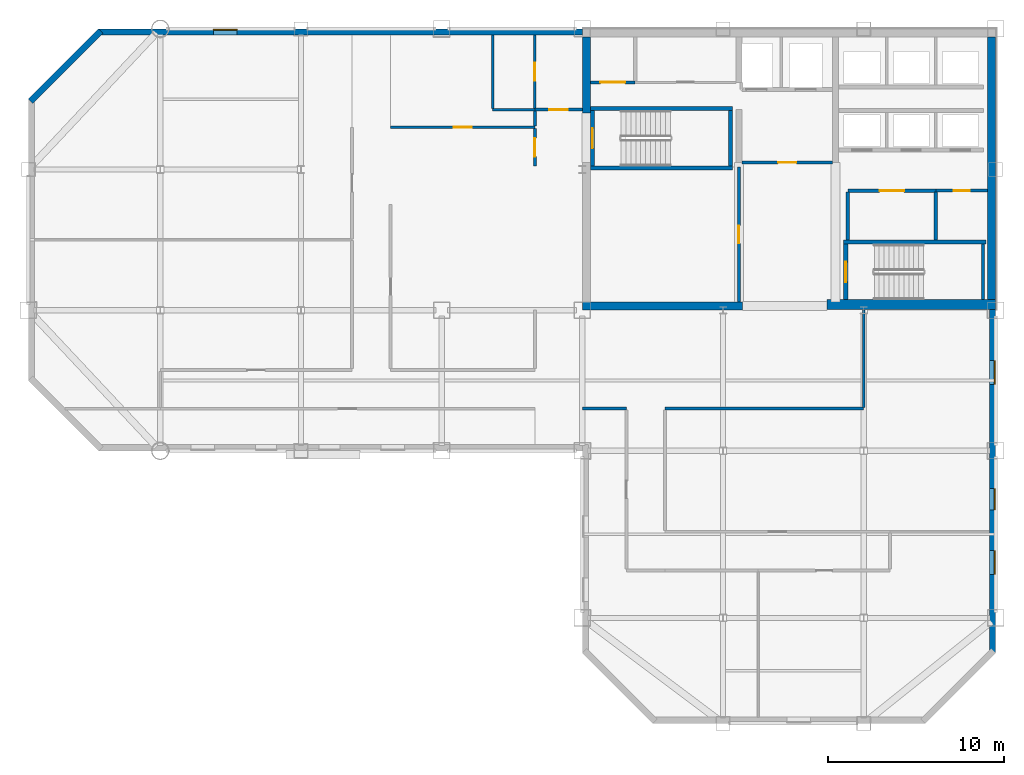
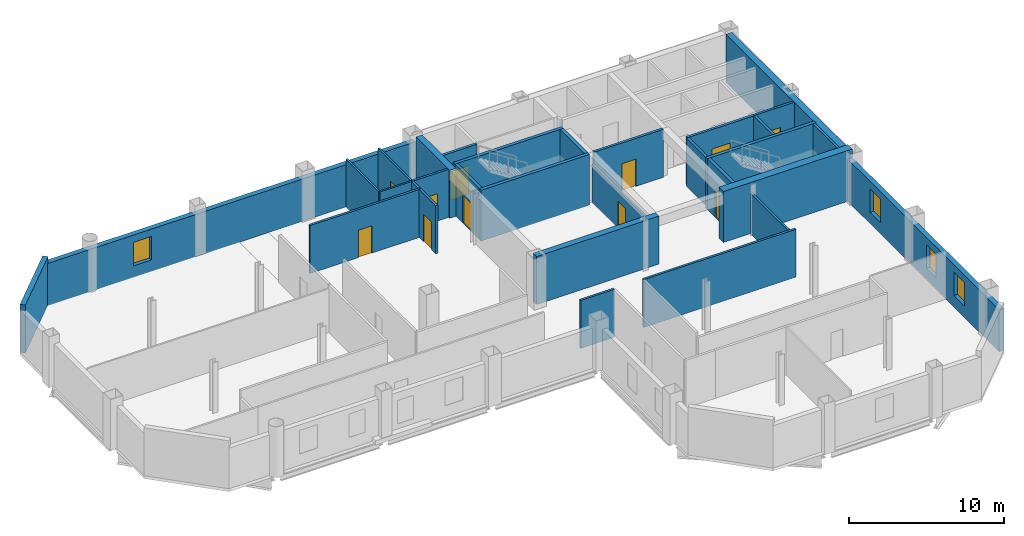
# One storey, part 5 of 10: 31 walls, 11 doors, 4 windows, 15 openings.
"""IFC4 building model written with IfcOpenShell, lengths in metres."""

from ifc_helpers import new_model, si_unit, direction, frame, frame_2d, origin, place, context, subcontext, project, spatial, rectangle, extrude, material, layer, layer_set, type_object, element, fill, save


model = new_model("IFC4")

# Units and contexts
model_context = context("Model", 3, precision=1e-05, world=origin(), true_north=direction((0.0, 1.0)))
body_context = subcontext(model_context, "Body", "Model", "MODEL_VIEW")
ifc_project = project(units=[si_unit("LENGTHUNIT", "METRE"), si_unit("AREAUNIT", "SQUARE_METRE"), si_unit("VOLUMEUNIT", "CUBIC_METRE"), si_unit("PLANEANGLEUNIT", "RADIAN"), si_unit("MASSUNIT", "GRAM", prefix="KILO")], contexts=[model_context])

# Site, building, storey
site_placement = place(None, origin())
site = spatial("IfcSite", under=ifc_project, at=site_placement, CompositionType="ELEMENT")
building_placement = place(site_placement, origin())
building = spatial("IfcBuilding", under=site, at=building_placement, Name="Qianrong Seaharbour Tower", CompositionType="ELEMENT")
storey_placement = place(building_placement, frame((0.0, 0.0, 229.800048828125)))
storey = spatial("IfcBuildingStorey", under=building, at=storey_placement, Name="L55", CompositionType="ELEMENT", Elevation=229.800048828125)

# Walls
ifc_material_1 = material(Name="Concrete C60/75", Category="concrete")
ifc_layer_1 = layer(ifc_material_1, 0.4599609375)
ifc_layer_set_1 = layer_set([ifc_layer_1], Name="Concrete C60/75")
wall_type_1 = type_object("IfcWallType", Name="WALL-CORE-460", PredefinedType="SHEAR", material=ifc_layer_set_1)
wall_1_placement = place(storey_placement, frame((63.77001953125, 36.320068359375, 0.0), z_axis=(0.0, 0.0, 1.0), x_axis=(0.0, 1.0, 0.0)))
element("IfcWall", 1, at=wall_1_placement, inside=storey, type_object=wall_type_1, Name="L55 East Core Shear Wall", PredefinedType="SHEAR", context=body_context, shape_type="SweptSolid", body=[
    extrude(rectangle(XDim=15.219970703125, YDim=0.4599609375, at=frame_2d((7.60986328125, 0.0))), origin(), (0.0, 0.0, 1.0), 3.77490234375),
])
wall_2_placement = place(storey_placement, frame((40.72998046875, 47.199951171875, 0.0), z_axis=(0.0, 0.0, 1.0), x_axis=(0.0, 1.0, 0.0)))
element("IfcWall", 2, at=wall_2_placement, inside=storey, type_object=wall_type_1, Name="L55 West Core Shear Wall North", PredefinedType="SHEAR", context=body_context, shape_type="SweptSolid", body=[
    extrude(rectangle(XDim=4.340087890625, YDim=0.4599609375, at=frame_2d((2.169921875, 0.0))), origin(), (0.0, 0.0, 1.0), 3.77490234375),
])
wall_3_placement = place(storey_placement, frame((40.5, 36.22998046875, 0.0), z_axis=(0.0, 0.0, 1.0), x_axis=(1.0, 0.0, 0.0)))
element("IfcWall", 3, at=wall_3_placement, inside=storey, type_object=wall_type_1, Name="L55 South Core Shear Wall S1", PredefinedType="SHEAR", context=body_context, shape_type="SweptSolid", body=[
    extrude(rectangle(XDim=9.10009765625, YDim=0.4599609375, at=frame_2d((4.550048828125, 0.0))), origin(), (0.0, 0.0, 1.0), 3.77490234375),
])
ifc_material_2 = material(Name="Concrete C70/85", Category="concrete")
ifc_layer_2 = layer(ifc_material_2, 0.580078125)
ifc_layer_set_2 = layer_set([ifc_layer_2], Name="Concrete C70/85")
wall_type_2 = type_object("IfcWallType", Name="WALL-CORE-580", PredefinedType="SHEAR", material=ifc_layer_set_2)
wall_4_placement = place(storey_placement, frame((54.39990234375, 36.320068359375, 0.0), z_axis=(0.0, 0.0, 1.0), x_axis=(1.0, 0.0, 0.0)))
element("IfcWall", 4, at=wall_4_placement, inside=storey, type_object=wall_type_2, Name="L55 South Core Shear Wall S3", PredefinedType="SHEAR", context=body_context, shape_type="SweptSolid", body=[
    extrude(rectangle(XDim=9.60009765625, YDim=0.580078125, at=frame_2d((4.800048828125, 0.0))), origin(), (0.0, 0.0, 1.0), 4.0),
])

# Wall, opening, door
ifc_material_3 = material(Name="Fire-rated acoustic gypsum board partition")
ifc_layer_3 = layer(ifc_material_3, 0.1650390625)
ifc_layer_set_3 = layer_set([ifc_layer_3], Name="Fire-rated acoustic gypsum board partition")
wall_type_3 = type_object("IfcWallType", Name="WALL-CORR-PART-165", PredefinedType="PARTITIONING", material=ifc_layer_set_3)
wall_5_placement = place(storey_placement, frame((37.800048828125, 47.39990234375, 0.0), z_axis=(0.0, 0.0, 1.0), x_axis=(1.0, 0.0, 0.0)))
wall_5 = element("IfcWall", 5, at=wall_5_placement, inside=storey, type_object=wall_type_3, Name="L55 Interior Partition Wall 001", PredefinedType="PARTITIONING", context=body_context, shape_type="SweptSolid", body=[
    extrude(rectangle(XDim=2.699951171875, YDim=0.1650390625, at=frame_2d((1.35009765625, 0.0))), origin(), (0.0, 0.0, 1.0), 3.77490234375),
])
opening_1_placement = place(wall_5_placement, frame((0.824951171875, 0.0, 0.0)))
opening_1 = element("IfcOpeningElement", 6, at=opening_1_placement, cuts=wall_5, Name="Opening DC-01", PredefinedType="OPENING", context=body_context, shape_type="SweptSolid", body=[
    extrude(rectangle(XDim=1.050048828125, YDim=2.14990234375, at=frame_2d((0.52490234375, 1.074951171875))), frame((0.0, 0.092529296875, 0.0), z_axis=(0.0, -1.0, 0.0), x_axis=(1.0, 0.0, 0.0)), (0.0, 0.0, 1.0), 0.18505859375),
])
ifc_material_4 = material(Name="Acoustic timber and galvanized steel fire door assembly", Category="steel")
door_type_1 = type_object("IfcDoorType", Name="DOOR-CORR-FD60-1050x2150", OperationType="NOTDEFINED", PredefinedType="DOOR", material=ifc_material_4)
door_1_placement = place(opening_1_placement, origin())
door_1 = element("IfcDoor", 7, at=door_1_placement, inside=storey, type_object=door_type_1, Name="L55 Smokeproof Stair Vestibule ST-1 Door", OperationType="SINGLE_SWING_RIGHT", OverallHeight=2.14990234375, OverallWidth=1.050048828125, PredefinedType="DOOR", context=body_context, shape_type="SweptSolid", body=[
    extrude(rectangle(XDim=1.050048828125, YDim=2.14990234375, at=frame_2d((0.52490234375, 1.074951171875))), frame((0.0, 0.02490234375, 0.0), z_axis=(0.0, -1.0, 0.0), x_axis=(1.0, 0.0, 0.0)), (0.0, 0.0, 1.0), 0.050048828125),
])
fill(opening_1, door_1)

wall_6_placement = place(storey_placement, frame((37.800048828125, 44.199951171875, 0.0), z_axis=(0.0, 0.0, 1.0), x_axis=(0.0, 1.0, 0.0)))
wall_6 = element("IfcWall", 8, at=wall_6_placement, inside=storey, type_object=wall_type_3, Name="L55 Interior Partition Wall 002", PredefinedType="PARTITIONING", context=body_context, shape_type="SweptSolid", body=[
    extrude(rectangle(XDim=2.12548828125, YDim=0.1650390625, at=frame_2d((1.062744140625, 0.0))), origin(), (0.0, 0.0, 1.0), 3.77490234375),
])
opening_2_placement = place(wall_6_placement, frame((0.537841796875, 0.0, 0.0)))
opening_2 = element("IfcOpeningElement", 9, at=opening_2_placement, cuts=wall_6, Name="Opening DC-01", PredefinedType="OPENING", context=body_context, shape_type="SweptSolid", body=[
    extrude(rectangle(XDim=1.050048828125, YDim=2.14990234375, at=frame_2d((0.52490234375, 1.074951171875))), frame((0.0, 0.092529296875, 0.0), z_axis=(0.0, -1.0, 0.0), x_axis=(1.0, 0.0, 0.0)), (0.0, 0.0, 1.0), 0.18505859375),
])
door_2_placement = place(opening_2_placement, origin())
door_2 = element("IfcDoor", 10, at=door_2_placement, inside=storey, type_object=door_type_1, Name="L55 Smokeproof Stair Vestibule ST-1 Door", OperationType="SINGLE_SWING_LEFT", OverallHeight=2.14990234375, OverallWidth=1.050048828125, PredefinedType="DOOR", context=body_context, shape_type="SweptSolid", body=[
    extrude(rectangle(XDim=1.050048828125, YDim=2.14990234375, at=frame_2d((0.52490234375, 1.074951171875))), frame((0.0, 0.02490234375, 0.0), z_axis=(0.0, -1.0, 0.0), x_axis=(1.0, 0.0, 0.0)), (0.0, 0.0, 1.0), 0.050048828125),
])
fill(opening_2, door_2)

# Wall
wall_7_placement = place(storey_placement, frame((37.800048828125, 46.474609375, 0.0), z_axis=(0.0, 0.0, 1.0), x_axis=(0.0, 1.0, 0.0)))
element("IfcWall", 11, at=wall_7_placement, inside=storey, type_object=wall_type_3, Name="L55 Interior Partition Wall 003", PredefinedType="PARTITIONING", context=body_context, shape_type="SweptSolid", body=[
    extrude(rectangle(XDim=0.850830078125, YDim=0.1650390625, at=frame_2d((0.42529296875, 0.0))), origin(), (0.0, 0.0, 1.0), 3.77490234375),
])

# Wall, opening, door
wall_8_placement = place(storey_placement, frame((49.39990234375, 36.4599609375, 0.0), z_axis=(0.0, 0.0, 1.0), x_axis=(0.0, 1.0, 0.0)))
wall_8 = element("IfcWall", 12, at=wall_8_placement, inside=storey, type_object=wall_type_3, Name="L55 Interior Partition Wall 010", PredefinedType="PARTITIONING", context=body_context, shape_type="SweptSolid", body=[
    extrude(rectangle(XDim=7.68994140625, YDim=0.1650390625, at=frame_2d((3.844970703125, 0.0))), origin(), (0.0, 0.0, 1.0), 3.016845703125),
])
opening_3_placement = place(wall_8_placement, frame((3.344970703125, 0.0, 0.0)))
opening_3 = element("IfcOpeningElement", 13, at=opening_3_placement, cuts=wall_8, Name="Opening DO-01", PredefinedType="OPENING", context=body_context, shape_type="SweptSolid", body=[
    extrude(rectangle(XDim=1.0, YDim=2.14990234375, at=frame_2d((0.5, 1.074951171875))), frame((0.0, 0.092529296875, 0.0), z_axis=(0.0, -1.0, 0.0), x_axis=(1.0, 0.0, 0.0)), (0.0, 0.0, 1.0), 0.18505859375),
])
door_type_2 = type_object("IfcDoorType", Name="DOOR-OFFICE-1000x2150", OperationType="NOTDEFINED", PredefinedType="DOOR", material=ifc_material_4)
door_3_placement = place(opening_3_placement, origin())
door_3 = element("IfcDoor", 14, at=door_3_placement, inside=storey, type_object=door_type_2, Name="L55 Data Systems Office Door", OperationType="SINGLE_SWING_RIGHT", OverallHeight=2.14990234375, OverallWidth=1.0, PredefinedType="DOOR", context=body_context, shape_type="SweptSolid", body=[
    extrude(rectangle(XDim=1.0, YDim=2.14990234375, at=frame_2d((0.5, 1.074951171875))), frame((0.0, 0.02490234375, 0.0), z_axis=(0.0, -1.0, 0.0), x_axis=(1.0, 0.0, 0.0)), (0.0, 0.0, 1.0), 0.050048828125),
])
fill(opening_3, door_3)

wall_9_placement = place(storey_placement, frame((63.5400390625, 42.800048828125, 0.0), z_axis=(0.0, 0.0, 1.0), x_axis=(-1.0, 0.0, 0.0)))
wall_9 = element("IfcWall", 15, at=wall_9_placement, inside=storey, type_object=wall_type_3, Name="L55 Interior Partition Wall 013", PredefinedType="PARTITIONING", context=body_context, shape_type="SweptSolid", body=[
    extrude(rectangle(XDim=2.93994140625, YDim=0.1650390625, at=frame_2d((1.469970703125, 0.0))), origin(), (0.0, 0.0, 1.0), 3.77490234375),
])
opening_4_placement = place(wall_9_placement, frame((1.02001953125, 0.0, 0.0)))
opening_4 = element("IfcOpeningElement", 16, at=opening_4_placement, cuts=wall_9, Name="Opening DS-01", PredefinedType="OPENING", context=body_context, shape_type="SweptSolid", body=[
    extrude(rectangle(XDim=0.89990234375, YDim=2.14990234375, at=frame_2d((0.449951171875, 1.074951171875))), frame((0.0, 0.092529296875, 0.0), z_axis=(0.0, -1.0, 0.0), x_axis=(1.0, 0.0, 0.0)), (0.0, 0.0, 1.0), 0.18505859375),
])
door_type_3 = type_object("IfcDoorType", Name="DOOR-STORE-900x2150", OperationType="NOTDEFINED", PredefinedType="DOOR", material=ifc_material_4)
door_4_placement = place(opening_4_placement, origin())
door_4 = element("IfcDoor", 17, at=door_4_placement, inside=storey, type_object=door_type_3, Name="L55 Housekeeping Linen Store Door", OperationType="SINGLE_SWING_RIGHT", OverallHeight=2.14990234375, OverallWidth=0.89990234375, PredefinedType="DOOR", context=body_context, shape_type="SweptSolid", body=[
    extrude(rectangle(XDim=0.89990234375, YDim=2.14990234375, at=frame_2d((0.449951171875, 1.074951171875))), frame((0.0, 0.02490234375, 0.0), z_axis=(0.0, -1.0, 0.0), x_axis=(1.0, 0.0, 0.0)), (0.0, 0.0, 1.0), 0.050048828125),
])
fill(opening_4, door_4)

wall_10_placement = place(storey_placement, frame((29.60009765625, 46.39990234375, 0.0), z_axis=(0.0, 0.0, 1.0), x_axis=(1.0, 0.0, 0.0)))
wall_10 = element("IfcWall", 18, at=wall_10_placement, inside=storey, type_object=wall_type_3, Name="L55 Interior Partition Wall 023", PredefinedType="PARTITIONING", context=body_context, shape_type="SweptSolid", body=[
    extrude(rectangle(XDim=8.199951171875, YDim=0.1650390625, at=frame_2d((4.10009765625, 0.0))), origin(), (0.0, 0.0, 1.0), 3.77490234375),
])
opening_5_placement = place(wall_10_placement, frame((3.60009765625, 0.0, 0.0)))
opening_5 = element("IfcOpeningElement", 19, at=opening_5_placement, cuts=wall_10, Name="Opening DO-01", PredefinedType="OPENING", context=body_context, shape_type="SweptSolid", body=[
    extrude(rectangle(XDim=1.0, YDim=2.14990234375, at=frame_2d((0.5, 1.074951171875))), frame((0.0, 0.092529296875, 0.0), z_axis=(0.0, -1.0, 0.0), x_axis=(1.0, 0.0, 0.0)), (0.0, 0.0, 1.0), 0.18505859375),
])
door_5_placement = place(opening_5_placement, origin())
door_5 = element("IfcDoor", 20, at=door_5_placement, inside=storey, type_object=door_type_2, Name="L55 Digital Media Hall 2 Door", OperationType="SINGLE_SWING_RIGHT", OverallHeight=2.14990234375, OverallWidth=1.0, PredefinedType="DOOR", context=body_context, shape_type="SweptSolid", body=[
    extrude(rectangle(XDim=1.0, YDim=2.14990234375, at=frame_2d((0.5, 1.074951171875))), frame((0.0, 0.02490234375, 0.0), z_axis=(0.0, -1.0, 0.0), x_axis=(1.0, 0.0, 0.0)), (0.0, 0.0, 1.0), 0.050048828125),
])
fill(opening_5, door_5)

# Walls
wall_11_placement = place(storey_placement, frame((56.5, 36.0, 0.0), z_axis=(0.0, 0.0, 1.0), x_axis=(0.0, -1.0, 0.0)))
element("IfcWall", 21, at=wall_11_placement, inside=storey, type_object=wall_type_3, Name="L55 Interior Partition Wall 025", PredefinedType="PARTITIONING", context=body_context, shape_type="SweptSolid", body=[
    extrude(rectangle(XDim=5.525390625, YDim=0.1650390625, at=frame_2d((2.7626953125, 0.0))), origin(), (0.0, 0.0, 1.0), 3.178955078125),
])
wall_12_placement = place(storey_placement, frame((56.5, 30.39990234375, 0.0), z_axis=(0.0, 0.0, 1.0), x_axis=(-1.0, 0.0, 0.0)))
element("IfcWall", 22, at=wall_12_placement, inside=storey, type_object=wall_type_3, Name="L55 Interior Partition Wall 026", PredefinedType="PARTITIONING", context=body_context, shape_type="SweptSolid", body=[
    extrude(rectangle(XDim=11.300048828125, YDim=0.1650390625, at=frame_2d((5.64990234375, 0.0))), origin(), (0.0, 0.0, 1.0), 3.77490234375),
])
wall_13_placement = place(storey_placement, frame((43.0, 30.39990234375, 0.0), z_axis=(0.0, 0.0, 1.0), x_axis=(-1.0, 0.0, 0.0)))
element("IfcWall", 23, at=wall_13_placement, inside=storey, type_object=wall_type_3, Name="L55 Interior Partition Wall 027", PredefinedType="PARTITIONING", context=body_context, shape_type="SweptSolid", body=[
    extrude(rectangle(XDim=2.5, YDim=0.1650390625, at=frame_2d((1.25, 0.0))), origin(), (0.0, 0.0, 1.0), 3.77490234375),
])
ifc_material_5 = material(Name="Unitised red brick on Precast concrete C45/55", Category="masonry")
ifc_layer_4 = layer(ifc_material_5, 0.360107421875)
ifc_layer_set_4 = layer_set([ifc_layer_4], Name="Unitised red brick on Precast concrete C45/55")
wall_type_4 = type_object("IfcWallType", Name="WALL-EXT-BRICK-RED-360", PredefinedType="SOLIDWALL", material=ifc_layer_set_4)
wall_14_placement = place(storey_placement, frame((9.127197265625, 47.872802734375, 0.0), z_axis=(0.0, 0.0, 1.0), x_axis=(0.707106781187, 0.707106781187, 0.0)))
element("IfcWall", 24, at=wall_14_placement, inside=storey, type_object=wall_type_4, Name="L55 Exterior Masonry Facade Wall E04", PredefinedType="SOLIDWALL", context=body_context, shape_type="SweptSolid", body=[
    extrude(rectangle(XDim=5.65673828125, YDim=0.360107421875, at=frame_2d((2.828369140625, 0.0))), origin(), (0.0, 0.0, 1.0), 3.77490234375),
])

# Wall, opening, window
wall_15_placement = place(storey_placement, frame((13.0, 51.820068359375, 0.0), z_axis=(0.0, 0.0, 1.0), x_axis=(1.0, 0.0, 0.0)))
wall_15 = element("IfcWall", 25, at=wall_15_placement, inside=storey, type_object=wall_type_4, Name="L55 Exterior Masonry Facade Wall NORTH_WING", PredefinedType="SOLIDWALL", context=body_context, shape_type="SweptSolid", body=[
    extrude(rectangle(XDim=27.52001953125, YDim=0.360107421875, at=frame_2d((13.760009765625, 0.0))), origin(), (0.0, 0.0, 1.0), 3.324951171875),
])
opening_6_placement = place(wall_15_placement, frame((6.52490234375, 0.0, 0.89990234375)))
opening_6 = element("IfcOpeningElement", 26, at=opening_6_placement, cuts=wall_15, Name="Opening WN-02", PredefinedType="OPENING", context=body_context, shape_type="SweptSolid", body=[
    extrude(rectangle(XDim=1.35009765625, YDim=1.85009765625, at=frame_2d((0.675048828125, 0.925048828125))), frame((0.0, 0.18994140625, 0.0), z_axis=(0.0, -1.0, 0.0), x_axis=(1.0, 0.0, 0.0)), (0.0, 0.0, 1.0), 0.380126953125),
])
ifc_material_6 = material(Name="Insulated low-e double glazing in thermally broken aluminium 6063-T6 frame", Category="aluminium")
window_type_1 = type_object("IfcWindowType", Name="WIN-PUNCH-1350x1850", PartitioningType="DOUBLE_PANEL_VERTICAL", PredefinedType="WINDOW", material=ifc_material_6)
window_1_placement = place(opening_6_placement, origin())
window_1 = element("IfcWindow", 27, at=window_1_placement, inside=storey, type_object=window_type_1, Name="L55 Deep-Set Punched Window 05.02", OverallHeight=1.85009765625, OverallWidth=1.35009765625, PartitioningType="DOUBLE_PANEL_VERTICAL", PredefinedType="WINDOW", context=body_context, shape_type="SweptSolid", body=[
    extrude(rectangle(XDim=1.35009765625, YDim=1.85009765625, at=frame_2d((0.675048828125, 0.925048828125))), frame((0.0, 0.150146484375, 0.0), z_axis=(0.0, -1.0, 0.0), x_axis=(1.0, 0.0, 0.0)), (0.0, 0.0, 1.0), 0.06005859375),
])
fill(opening_6, window_1)

# Wall, openings, windows
wall_16_placement = place(storey_placement, frame((63.820068359375, 36.050048828125, 0.0), z_axis=(0.0, 0.0, 1.0), x_axis=(0.0, -1.0, 0.0)))
wall_16 = element("IfcWall", 28, at=wall_16_placement, inside=storey, type_object=wall_type_4, Name="L55 Exterior Masonry Facade Wall EAST_WING", PredefinedType="SOLIDWALL", context=body_context, shape_type="SweptSolid", body=[
    extrude(rectangle(XDim=19.550048828125, YDim=0.360107421875, at=frame_2d((9.77490234375, 0.0))), origin(), (0.0, 0.0, 1.0), 3.324951171875),
])
opening_7_placement = place(wall_16_placement, frame((2.925048828125, 0.0, 0.89990234375)))
opening_7 = element("IfcOpeningElement", 29, at=opening_7_placement, cuts=wall_16, Name="Opening WN-02", PredefinedType="OPENING", context=body_context, shape_type="SweptSolid", body=[
    extrude(rectangle(XDim=1.35009765625, YDim=1.85009765625, at=frame_2d((0.675048828125, 0.925048828125))), frame((0.0, 0.18994140625, 0.0), z_axis=(0.0, -1.0, 0.0), x_axis=(1.0, 0.0, 0.0)), (0.0, 0.0, 1.0), 0.380126953125),
])
opening_8_placement = place(wall_16_placement, frame((10.199951171875, 0.0, 0.89990234375)))
opening_8 = element("IfcOpeningElement", 30, at=opening_8_placement, cuts=wall_16, Name="Opening WN-01", PredefinedType="OPENING", context=body_context, shape_type="SweptSolid", body=[
    extrude(rectangle(XDim=1.199951171875, YDim=1.85009765625, at=frame_2d((0.60009765625, 0.925048828125))), frame((0.0, 0.18994140625, 0.0), z_axis=(0.0, -1.0, 0.0), x_axis=(1.0, 0.0, 0.0)), (0.0, 0.0, 1.0), 0.380126953125),
])
opening_9_placement = place(wall_16_placement, frame((13.72509765625, 0.0, 0.89990234375)))
opening_9 = element("IfcOpeningElement", 31, at=opening_9_placement, cuts=wall_16, Name="Opening WN-02", PredefinedType="OPENING", context=body_context, shape_type="SweptSolid", body=[
    extrude(rectangle(XDim=1.35009765625, YDim=1.85009765625, at=frame_2d((0.675048828125, 0.925048828125))), frame((0.0, 0.18994140625, 0.0), z_axis=(0.0, -1.0, 0.0), x_axis=(1.0, 0.0, 0.0)), (0.0, 0.0, 1.0), 0.380126953125),
])
window_type_2 = type_object("IfcWindowType", Name="WIN-PUNCH-1200x1850", PartitioningType="DOUBLE_PANEL_VERTICAL", PredefinedType="WINDOW", material=ifc_material_6)
window_2_placement = place(opening_8_placement, origin())
window_2 = element("IfcWindow", 32, at=window_2_placement, inside=storey, type_object=window_type_2, Name="L55 Deep-Set Punched Window 06.03", OverallHeight=1.85009765625, OverallWidth=1.199951171875, PartitioningType="DOUBLE_PANEL_VERTICAL", PredefinedType="WINDOW", context=body_context, shape_type="SweptSolid", body=[
    extrude(rectangle(XDim=1.199951171875, YDim=1.85009765625, at=frame_2d((0.60009765625, 0.925048828125))), frame((0.0, 0.150146484375, 0.0), z_axis=(0.0, -1.0, 0.0), x_axis=(1.0, 0.0, 0.0)), (0.0, 0.0, 1.0), 0.06005859375),
])
fill(opening_8, window_2)
window_3_placement = place(opening_7_placement, origin())
window_3 = element("IfcWindow", 33, at=window_3_placement, inside=storey, type_object=window_type_1, Name="L55 Deep-Set Punched Window 06.01", OverallHeight=1.85009765625, OverallWidth=1.35009765625, PartitioningType="DOUBLE_PANEL_VERTICAL", PredefinedType="WINDOW", context=body_context, shape_type="SweptSolid", body=[
    extrude(rectangle(XDim=1.35009765625, YDim=1.85009765625, at=frame_2d((0.675048828125, 0.925048828125))), frame((0.0, 0.150146484375, 0.0), z_axis=(0.0, -1.0, 0.0), x_axis=(1.0, 0.0, 0.0)), (0.0, 0.0, 1.0), 0.06005859375),
])
fill(opening_7, window_3)
window_4_placement = place(opening_9_placement, origin())
window_4 = element("IfcWindow", 34, at=window_4_placement, inside=storey, type_object=window_type_1, Name="L55 Deep-Set Punched Window 06.04", OverallHeight=1.85009765625, OverallWidth=1.35009765625, PartitioningType="DOUBLE_PANEL_VERTICAL", PredefinedType="WINDOW", context=body_context, shape_type="SweptSolid", body=[
    extrude(rectangle(XDim=1.35009765625, YDim=1.85009765625, at=frame_2d((0.675048828125, 0.925048828125))), frame((0.0, 0.150146484375, 0.0), z_axis=(0.0, -1.0, 0.0), x_axis=(1.0, 0.0, 0.0)), (0.0, 0.0, 1.0), 0.06005859375),
])
fill(opening_9, window_4)

# Wall, opening, door
ifc_material_7 = material(Name="Double fire-rated gypsum board acoustic partition")
ifc_layer_5 = layer(ifc_material_7, 0.18994140625)
ifc_layer_set_5 = layer_set([ifc_layer_5], Name="Double fire-rated gypsum board acoustic partition")
wall_type_5 = type_object("IfcWallType", Name="WALL-FIRE-PART-190", PredefinedType="PARTITIONING", material=ifc_layer_set_5)
wall_17_placement = place(storey_placement, frame((40.9599609375, 48.949951171875, 0.0), z_axis=(0.0, 0.0, 1.0), x_axis=(1.0, 0.0, 0.0)))
wall_17 = element("IfcWall", 35, at=wall_17_placement, inside=storey, type_object=wall_type_5, Name="L55 Interior Partition Wall 007", PredefinedType="PARTITIONING", context=body_context, shape_type="SweptSolid", body=[
    extrude(rectangle(XDim=2.5400390625, YDim=0.18994140625, at=frame_2d((1.27001953125, 0.0))), origin(), (0.0, 0.0, 1.0), 3.77490234375),
])
opening_10_placement = place(wall_17_placement, frame((0.570068359375, 0.0, 0.0)))
opening_10 = element("IfcOpeningElement", 36, at=opening_10_placement, cuts=wall_17, Name="Opening DP-01", PredefinedType="OPENING", context=body_context, shape_type="SweptSolid", body=[
    extrude(rectangle(XDim=1.39990234375, YDim=2.25, at=frame_2d((0.699951171875, 1.125))), frame((0.0, 0.10498046875, 0.0), z_axis=(0.0, -1.0, 0.0), x_axis=(1.0, 0.0, 0.0)), (0.0, 0.0, 1.0), 0.2099609375),
])
door_type_4 = type_object("IfcDoorType", Name="DOOR-PLANT-PAIR-1400x2250", OperationType="DOUBLE_DOOR_SINGLE_SWING", PredefinedType="DOOR", material=ifc_material_4)
door_6_placement = place(opening_10_placement, origin())
door_6 = element("IfcDoor", 37, at=door_6_placement, inside=storey, type_object=door_type_4, Name="L55 Core Electrical Closet Door", OperationType="DOUBLE_DOOR_SINGLE_SWING", OverallHeight=2.25, OverallWidth=1.39990234375, PredefinedType="DOOR", context=body_context, shape_type="SweptSolid", body=[
    extrude(rectangle(XDim=1.39990234375, YDim=2.25, at=frame_2d((0.699951171875, 1.125))), frame((0.0, 0.02490234375, 0.0), z_axis=(0.0, -1.0, 0.0), x_axis=(1.0, 0.0, 0.0)), (0.0, 0.0, 1.0), 0.050048828125),
])
fill(opening_10, door_6)

wall_18_placement = place(storey_placement, frame((54.73291015625, 44.39990234375, 0.0), z_axis=(0.0, 0.0, 1.0), x_axis=(-1.0, 0.0, 0.0)))
wall_18 = element("IfcWall", 38, at=wall_18_placement, inside=storey, type_object=wall_type_5, Name="L55 Interior Partition Wall 009", PredefinedType="PARTITIONING", context=body_context, shape_type="SweptSolid", body=[
    extrude(rectangle(XDim=5.166015625, YDim=0.18994140625, at=frame_2d((2.5830078125, 0.0))), origin(), (0.0, 0.0, 1.0), 3.77490234375),
])
opening_11_placement = place(wall_18_placement, frame((2.05810546875, 0.0, 0.0)))
opening_11 = element("IfcOpeningElement", 39, at=opening_11_placement, cuts=wall_18, Name="Opening DC-01", PredefinedType="OPENING", context=body_context, shape_type="SweptSolid", body=[
    extrude(rectangle(XDim=1.050048828125, YDim=2.14990234375, at=frame_2d((0.52490234375, 1.074951171875))), frame((0.0, 0.10498046875, 0.0), z_axis=(0.0, -1.0, 0.0), x_axis=(1.0, 0.0, 0.0)), (0.0, 0.0, 1.0), 0.2099609375),
])
door_7_placement = place(opening_11_placement, origin())
door_7 = element("IfcDoor", 40, at=door_7_placement, inside=storey, type_object=door_type_1, Name="L55 Firefighting Lift Lobby Door", OperationType="SINGLE_SWING_LEFT", OverallHeight=2.14990234375, OverallWidth=1.050048828125, PredefinedType="DOOR", context=body_context, shape_type="SweptSolid", body=[
    extrude(rectangle(XDim=1.050048828125, YDim=2.14990234375, at=frame_2d((0.52490234375, 1.074951171875))), frame((0.0, 0.02490234375, 0.0), z_axis=(0.0, -1.0, 0.0), x_axis=(1.0, 0.0, 0.0)), (0.0, 0.0, 1.0), 0.050048828125),
])
fill(opening_11, door_7)

# Wall
wall_19_placement = place(storey_placement, frame((55.60009765625, 42.712890625, 0.0), z_axis=(0.0, 0.0, 1.0), x_axis=(0.0, -1.0, 0.0)))
element("IfcWall", 41, at=wall_19_placement, inside=storey, type_object=wall_type_5, Name="L55 Interior Partition Wall 011", PredefinedType="PARTITIONING", context=body_context, shape_type="SweptSolid", body=[
    extrude(rectangle(XDim=2.73095703125, YDim=0.18994140625, at=frame_2d((1.365478515625, 0.0))), origin(), (0.0, 0.0, 1.0), 3.77490234375),
])

# Wall, opening, door
wall_20_placement = place(storey_placement, frame((60.60009765625, 42.800048828125, 0.0), z_axis=(0.0, 0.0, 1.0), x_axis=(-1.0, 0.0, 0.0)))
wall_20 = element("IfcWall", 42, at=wall_20_placement, inside=storey, type_object=wall_type_5, Name="L55 Interior Partition Wall 012", PredefinedType="PARTITIONING", context=body_context, shape_type="SweptSolid", body=[
    extrude(rectangle(XDim=5.0, YDim=0.18994140625, at=frame_2d((2.5, 0.0))), origin(), (0.0, 0.0, 1.0), 3.77490234375),
])
opening_12_placement = place(wall_20_placement, frame((1.800048828125, 0.0, 0.0)))
opening_12 = element("IfcOpeningElement", 43, at=opening_12_placement, cuts=wall_20, Name="Opening DP-01", PredefinedType="OPENING", context=body_context, shape_type="SweptSolid", body=[
    extrude(rectangle(XDim=1.39990234375, YDim=2.25, at=frame_2d((0.699951171875, 1.125))), frame((0.0, 0.10498046875, 0.0), z_axis=(0.0, -1.0, 0.0), x_axis=(1.0, 0.0, 0.0)), (0.0, 0.0, 1.0), 0.2099609375),
])
door_8_placement = place(opening_12_placement, origin())
door_8 = element("IfcDoor", 44, at=door_8_placement, inside=storey, type_object=door_type_4, Name="L55 Submetering Switch Room Door", OperationType="DOUBLE_DOOR_SINGLE_SWING", OverallHeight=2.25, OverallWidth=1.39990234375, PredefinedType="DOOR", context=body_context, shape_type="SweptSolid", body=[
    extrude(rectangle(XDim=1.39990234375, YDim=2.25, at=frame_2d((0.699951171875, 1.125))), frame((0.0, 0.02490234375, 0.0), z_axis=(0.0, -1.0, 0.0), x_axis=(1.0, 0.0, 0.0)), (0.0, 0.0, 1.0), 0.050048828125),
])
fill(opening_12, door_8)

# Walls
wall_21_placement = place(storey_placement, frame((60.60009765625, 42.712890625, 0.0), z_axis=(0.0, 0.0, 1.0), x_axis=(0.0, -1.0, 0.0)))
element("IfcWall", 45, at=wall_21_placement, inside=storey, type_object=wall_type_5, Name="L55 Interior Partition Wall 015", PredefinedType="PARTITIONING", context=body_context, shape_type="SweptSolid", body=[
    extrude(rectangle(XDim=2.73095703125, YDim=0.18994140625, at=frame_2d((1.365478515625, 0.0))), origin(), (0.0, 0.0, 1.0), 3.77490234375),
])
ifc_material_8 = material(Name="Concrete C50/60", Category="concrete")
ifc_layer_6 = layer(ifc_material_8, 0.239990234375)
ifc_layer_set_6 = layer_set([ifc_layer_6], Name="Concrete C50/60")
wall_type_6 = type_object("IfcWallType", Name="WALL-SHAFT-RC240", PredefinedType="SOLIDWALL", material=ifc_layer_set_6)
for number, where, z_axis, x_axis, name in (
    (46, (40.9599609375, 47.469970703125, 0.0), (0.0, 0.0, 1.0), (1.0, 0.0, 0.0), "L55 ST-1 Structural Stair Core Wall N"),
    (47, (49.0400390625, 44.080078125, 0.0), (0.0, 0.0, 1.0), (-1.0, 0.0, 0.0), "L55 ST-1 Structural Stair Core Wall S"),
):
    element("IfcWall", number, at=place(storey_placement, frame(where, z_axis=z_axis, x_axis=x_axis)), inside=storey, type_object=wall_type_6, Name=name, PredefinedType="SOLIDWALL", context=body_context, shape_type="SweptSolid", body=[
        extrude(rectangle(XDim=8.080078125, YDim=0.239990234375, at=frame_2d((4.0400390625, 0.0))), origin(), (0.0, 0.0, 1.0), 4.0),
    ])

# Wall, opening, door
wall_22_placement = place(storey_placement, frame((41.080078125, 47.35009765625, 0.0), z_axis=(0.0, 0.0, 1.0), x_axis=(0.0, -1.0, 0.0)))
wall_22 = element("IfcWall", 48, at=wall_22_placement, inside=storey, type_object=wall_type_6, Name="L55 ST-1 Structural Stair Core Wall W", PredefinedType="SOLIDWALL", context=body_context, shape_type="SweptSolid", body=[
    extrude(rectangle(XDim=3.150146484375, YDim=0.239990234375, at=frame_2d((1.5751953125, 0.0))), origin(), (0.0, 0.0, 1.0), 4.0),
])
opening_13_placement = place(wall_22_placement, frame((1.0, 0.0, 0.0)))
opening_13 = element("IfcOpeningElement", 49, at=opening_13_placement, cuts=wall_22, Name="Opening SD-01", PredefinedType="OPENING", context=body_context, shape_type="SweptSolid", body=[
    extrude(rectangle(XDim=1.14990234375, YDim=2.199951171875, at=frame_2d((0.574951171875, 1.10009765625))), frame((0.0, 0.1298828125, 0.0), z_axis=(0.0, -1.0, 0.0), x_axis=(1.0, 0.0, 0.0)), (0.0, 0.0, 1.0), 0.260009765625),
])
door_type_5 = type_object("IfcDoorType", Name="DOOR-STAIR-FD60-1150x2200", OperationType="NOTDEFINED", PredefinedType="DOOR", material=ifc_material_4)
door_9_placement = place(opening_13_placement, origin())
door_9 = element("IfcDoor", 50, at=door_9_placement, inside=storey, type_object=door_type_5, Name="L55 ST-1 Protected Stair Door", OperationType="SINGLE_SWING_RIGHT", OverallHeight=2.199951171875, OverallWidth=1.14990234375, PredefinedType="DOOR", context=body_context, shape_type="SweptSolid", body=[
    extrude(rectangle(XDim=1.14990234375, YDim=2.199951171875, at=frame_2d((0.574951171875, 1.10009765625))), frame((0.0, 0.02490234375, 0.0), z_axis=(0.0, -1.0, 0.0), x_axis=(1.0, 0.0, 0.0)), (0.0, 0.0, 1.0), 0.050048828125),
])
fill(opening_13, door_9)

# Walls
wall_23_placement = place(storey_placement, frame((48.919921875, 44.199951171875, 0.0), z_axis=(0.0, 0.0, 1.0), x_axis=(0.0, 1.0, 0.0)))
element("IfcWall", 51, at=wall_23_placement, inside=storey, type_object=wall_type_6, Name="L55 ST-1 Structural Stair Core Wall E", PredefinedType="SOLIDWALL", context=body_context, shape_type="SweptSolid", body=[
    extrude(rectangle(XDim=3.150146484375, YDim=0.239990234375, at=frame_2d((1.5751953125, 0.0))), origin(), (0.0, 0.0, 1.0), 4.0),
])
wall_24_placement = place(storey_placement, frame((55.360107421875, 39.8701171875, 0.0), z_axis=(0.0, 0.0, 1.0), x_axis=(1.0, 0.0, 0.0)))
element("IfcWall", 52, at=wall_24_placement, inside=storey, type_object=wall_type_6, Name="L55 ST-2 Structural Stair Core Wall N", PredefinedType="SOLIDWALL", context=body_context, shape_type="SweptSolid", body=[
    extrude(rectangle(XDim=8.079833984375, YDim=0.239990234375, at=frame_2d((4.0400390625, 0.0))), origin(), (0.0, 0.0, 1.0), 4.0),
])

# Wall, opening, door
wall_25_placement = place(storey_placement, frame((55.47998046875, 39.75, 0.0), z_axis=(0.0, 0.0, 1.0), x_axis=(0.0, -1.0, 0.0)))
wall_25 = element("IfcWall", 53, at=wall_25_placement, inside=storey, type_object=wall_type_6, Name="L55 ST-2 Structural Stair Core Wall W", PredefinedType="SOLIDWALL", context=body_context, shape_type="SweptSolid", body=[
    extrude(rectangle(XDim=3.14990234375, YDim=0.239990234375, at=frame_2d((1.574951171875, 0.0))), origin(), (0.0, 0.0, 1.0), 4.0),
])
opening_14_placement = place(wall_25_placement, frame((1.0, 0.0, 0.0)))
opening_14 = element("IfcOpeningElement", 54, at=opening_14_placement, cuts=wall_25, Name="Opening SD-01", PredefinedType="OPENING", context=body_context, shape_type="SweptSolid", body=[
    extrude(rectangle(XDim=1.14990234375, YDim=2.199951171875, at=frame_2d((0.574951171875, 1.10009765625))), frame((0.0, 0.1298828125, 0.0), z_axis=(0.0, -1.0, 0.0), x_axis=(1.0, 0.0, 0.0)), (0.0, 0.0, 1.0), 0.260009765625),
])
door_10_placement = place(opening_14_placement, origin())
door_10 = element("IfcDoor", 55, at=door_10_placement, inside=storey, type_object=door_type_5, Name="L55 ST-2 Protected Stair Door", OperationType="SINGLE_SWING_RIGHT", OverallHeight=2.199951171875, OverallWidth=1.14990234375, PredefinedType="DOOR", context=body_context, shape_type="SweptSolid", body=[
    extrude(rectangle(XDim=1.14990234375, YDim=2.199951171875, at=frame_2d((0.574951171875, 1.10009765625))), frame((0.0, 0.02490234375, 0.0), z_axis=(0.0, -1.0, 0.0), x_axis=(1.0, 0.0, 0.0)), (0.0, 0.0, 1.0), 0.050048828125),
])
fill(opening_14, door_10)

# Wall
wall_26_placement = place(storey_placement, frame((63.2900390625, 36.60009765625, 0.0), z_axis=(0.0, 0.0, 1.0), x_axis=(0.0, 1.0, 0.0)))
element("IfcWall", 56, at=wall_26_placement, inside=storey, type_object=wall_type_6, Name="L55 ST-2 Structural Stair Core Wall E", PredefinedType="SOLIDWALL", context=body_context, shape_type="SweptSolid", body=[
    extrude(rectangle(XDim=3.14990234375, YDim=0.179931640625, at=frame_2d((1.574951171875, 0.0))), origin(), (0.0, 0.0, 1.0), 4.0),
])

# Wall, opening, door
ifc_material_9 = material(Name="Water-resistant cement board sanitary partition")
ifc_layer_7 = layer(ifc_material_9, 0.1298828125)
ifc_layer_set_7 = layer_set([ifc_layer_7], Name="Water-resistant cement board sanitary partition")
wall_type_7 = type_object("IfcWallType", Name="WALL-WET-PART-130", PredefinedType="PARTITIONING", material=ifc_layer_set_7)
wall_27_placement = place(storey_placement, frame((37.800048828125, 47.474609375, 0.0), z_axis=(0.0, 0.0, 1.0), x_axis=(0.0, 1.0, 0.0)))
wall_27 = element("IfcWall", 57, at=wall_27_placement, inside=storey, type_object=wall_type_7, Name="L55 Interior Partition Wall 004", PredefinedType="PARTITIONING", context=body_context, shape_type="SweptSolid", body=[
    extrude(rectangle(XDim=4.17333984375, YDim=0.1298828125, at=frame_2d((2.086669921875, 0.0))), origin(), (0.0, 0.0, 1.0), 3.77490234375),
])
opening_15_placement = place(wall_27_placement, frame((1.57666015625, 0.0, 0.0)))
opening_15 = element("IfcOpeningElement", 58, at=opening_15_placement, cuts=wall_27, Name="Opening DAW-01", PredefinedType="OPENING", context=body_context, shape_type="SweptSolid", body=[
    extrude(rectangle(XDim=1.02001953125, YDim=2.14990234375, at=frame_2d((0.510009765625, 1.074951171875))), frame((0.0, 0.074951171875, 0.0), z_axis=(0.0, -1.0, 0.0), x_axis=(1.0, 0.0, 0.0)), (0.0, 0.0, 1.0), 0.14990234375),
])
door_type_6 = type_object("IfcDoorType", Name="DOOR-AWC-SLIDE-1020x2150", OperationType="SLIDING_TO_LEFT", PredefinedType="DOOR", material=ifc_material_4)
door_11_placement = place(opening_15_placement, origin())
door_11 = element("IfcDoor", 59, at=door_11_placement, inside=storey, type_object=door_type_6, Name="L55 Accessible Restroom WC Door", OperationType="SLIDING_TO_LEFT", OverallHeight=2.14990234375, OverallWidth=1.02001953125, PredefinedType="DOOR", context=body_context, shape_type="SweptSolid", body=[
    extrude(rectangle(XDim=1.02001953125, YDim=2.14990234375, at=frame_2d((0.510009765625, 1.074951171875))), frame((0.0, 0.02490234375, 0.0), z_axis=(0.0, -1.0, 0.0), x_axis=(1.0, 0.0, 0.0)), (0.0, 0.0, 1.0), 0.050048828125),
])
fill(opening_15, door_11)

# Walls
wall_28_placement = place(storey_placement, frame((37.800048828125, 47.39990234375, 0.0), z_axis=(0.0, 0.0, 1.0), x_axis=(-1.0, 0.0, 0.0)))
element("IfcWall", 60, at=wall_28_placement, inside=storey, type_object=wall_type_7, Name="L55 Interior Partition Wall 005", PredefinedType="PARTITIONING", context=body_context, shape_type="SweptSolid", body=[
    extrude(rectangle(XDim=2.400146484375, YDim=0.1298828125, at=frame_2d((1.2001953125, 0.0))), origin(), (0.0, 0.0, 1.0), 3.77490234375),
])
wall_29_placement = place(storey_placement, frame((35.39990234375, 47.45703125, 0.0), z_axis=(0.0, 0.0, 1.0), x_axis=(0.0, 1.0, 0.0)))
element("IfcWall", 61, at=wall_29_placement, inside=storey, type_object=wall_type_7, Name="L55 Interior Partition Wall 006", PredefinedType="PARTITIONING", context=body_context, shape_type="SweptSolid", body=[
    extrude(rectangle(XDim=4.19091796875, YDim=0.1298828125, at=frame_2d((2.095458984375, 0.0))), origin(), (0.0, 0.0, 1.0), 3.77490234375),
])

save(model, "model.ifc")
